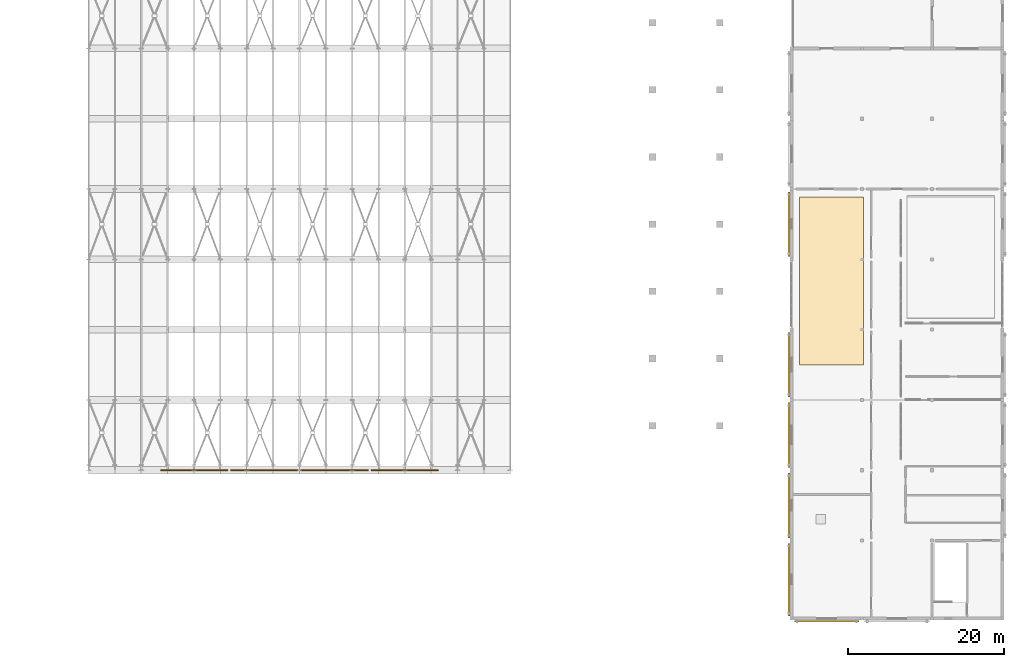
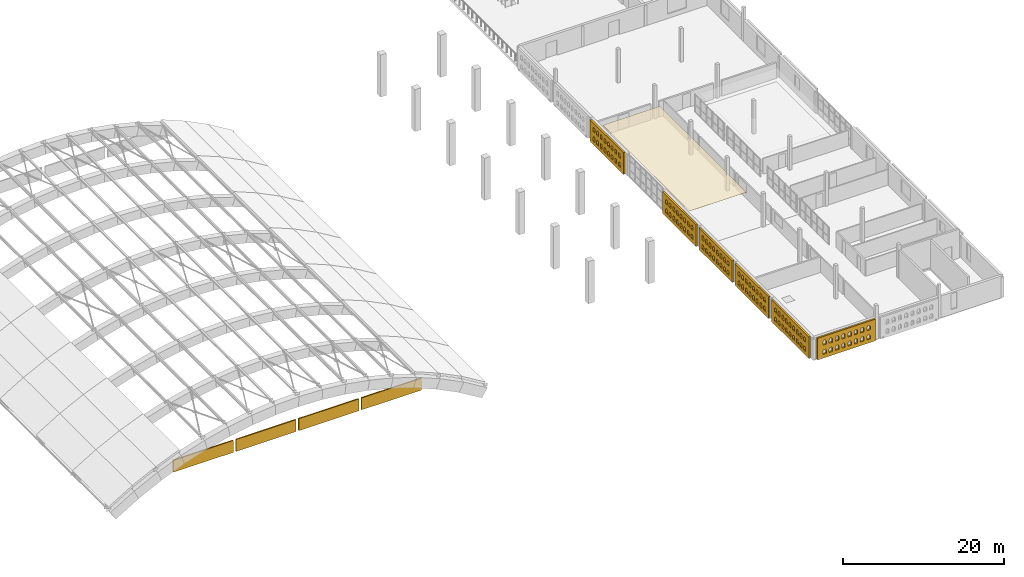
# One storey, part 27 of 30: 7 coverings, 4 shading devices.
"""IFC4 building model written with IfcOpenShell, lengths in metres."""

from ifc_helpers import new_model, si_unit, direction, frame, frame_2d, origin, place, context, subcontext, project, spatial, polyline, rectangle, outline, extrude, material, layer, layer_set, type_object, element, save


model = new_model("IFC4")

# Units and contexts
model_context = context("Model", 3, precision=1e-05, world=origin(), true_north=direction((0.0, 1.0)))
body_context = subcontext(model_context, "Body", "Model", "MODEL_VIEW")
ifc_project = project(units=[si_unit("LENGTHUNIT", "METRE"), si_unit("AREAUNIT", "SQUARE_METRE"), si_unit("VOLUMEUNIT", "CUBIC_METRE"), si_unit("PLANEANGLEUNIT", "RADIAN"), si_unit("MASSUNIT", "GRAM", prefix="KILO")], contexts=[model_context])

# Site, building, storey
site_placement = place(None, origin())
site = spatial("IfcSite", under=ifc_project, at=site_placement, CompositionType="ELEMENT")
building_placement = place(site_placement, origin())
building = spatial("IfcBuilding", under=site, at=building_placement, Name="Ornek Quay Market", CompositionType="ELEMENT")
storey_placement = place(building_placement, frame((0.0, 0.0, 12.0)))
storey = spatial("IfcBuildingStorey", under=building, at=storey_placement, Name="L03", CompositionType="ELEMENT", Elevation=12.0)

# Coverings
ifc_material_1 = material(Name="Frost-resistant facing clay brick M200 F100", Category="masonry")
ifc_layer_1 = layer(ifc_material_1, 0.25, Name="Frost-resistant facing clay brick M200 F100", Category="masonry")
ifc_layer_set_1 = layer_set([ifc_layer_1], Name="Frost-resistant facing clay brick M200 F100")
covering_type_1 = type_object("IfcCoveringType", Name="COV-BRICK-LATTICE-250", PredefinedType="CLADDING", material=ifc_layer_set_1)
covering_1_placement = place(storey_placement, frame((152.669921875, 10.35009765625, 0.0), z_axis=(0.0, 0.0, 1.0), x_axis=(0.0, 1.0, 0.0)))
element("IfcCovering", 1, at=covering_1_placement, inside=storey, type_object=covering_type_1, Name="Arched brick lattice screen BLS-119", PredefinedType="CLADDING", context=body_context, shape_type="SweptSolid", body=[
    extrude(outline(polyline([(0.0, 0.0), (9.2998046875, 0.0), (9.2998046875, 3.280029296875), (0.0, 3.280029296875), (0.0, 0.0)]), holes=[polyline([(0.81005859375, 0.550048828125), (1.2900390625, 0.550048828125), (1.2900390625, 1.050048828125), (1.169921875, 1.2578125), (0.929931640625, 1.2578125), (0.81005859375, 1.050048828125), (0.81005859375, 0.550048828125)]), polyline([(0.81005859375, 1.949951171875), (1.2900390625, 1.949951171875), (1.2900390625, 2.449951171875), (1.169921875, 2.65771484375), (0.929931640625, 2.65771484375), (0.81005859375, 2.449951171875), (0.81005859375, 1.949951171875)]), polyline([(1.7099609375, 0.550048828125), (2.18994140625, 0.550048828125), (2.18994140625, 1.050048828125), (2.070068359375, 1.2578125), (1.830078125, 1.2578125), (1.7099609375, 1.050048828125), (1.7099609375, 0.550048828125)]), polyline([(1.7099609375, 1.949951171875), (2.18994140625, 1.949951171875), (2.18994140625, 2.449951171875), (2.070068359375, 2.65771484375), (1.830078125, 2.65771484375), (1.7099609375, 2.449951171875), (1.7099609375, 1.949951171875)]), polyline([(2.610107421875, 0.550048828125), (3.090087890625, 0.550048828125), (3.090087890625, 1.050048828125), (2.969970703125, 1.2578125), (2.72998046875, 1.2578125), (2.610107421875, 1.050048828125), (2.610107421875, 0.550048828125)]), polyline([(2.610107421875, 1.949951171875), (3.090087890625, 1.949951171875), (3.090087890625, 2.449951171875), (2.969970703125, 2.65771484375), (2.72998046875, 2.65771484375), (2.610107421875, 2.449951171875), (2.610107421875, 1.949951171875)]), polyline([(3.510009765625, 0.550048828125), (3.989990234375, 0.550048828125), (3.989990234375, 1.050048828125), (3.8701171875, 1.2578125), (3.6298828125, 1.2578125), (3.510009765625, 1.050048828125), (3.510009765625, 0.550048828125)]), polyline([(3.510009765625, 1.949951171875), (3.989990234375, 1.949951171875), (3.989990234375, 2.449951171875), (3.8701171875, 2.65771484375), (3.6298828125, 2.65771484375), (3.510009765625, 2.449951171875), (3.510009765625, 1.949951171875)]), polyline([(4.409912109375, 0.550048828125), (4.889892578125, 0.550048828125), (4.889892578125, 1.050048828125), (4.77001953125, 1.2578125), (4.530029296875, 1.2578125), (4.409912109375, 1.050048828125), (4.409912109375, 0.550048828125)]), polyline([(4.409912109375, 1.949951171875), (4.889892578125, 1.949951171875), (4.889892578125, 2.449951171875), (4.77001953125, 2.65771484375), (4.530029296875, 2.65771484375), (4.409912109375, 2.449951171875), (4.409912109375, 1.949951171875)]), polyline([(5.31005859375, 0.550048828125), (5.7900390625, 0.550048828125), (5.7900390625, 1.050048828125), (5.669921875, 1.2578125), (5.429931640625, 1.2578125), (5.31005859375, 1.050048828125), (5.31005859375, 0.550048828125)]), polyline([(5.31005859375, 1.949951171875), (5.7900390625, 1.949951171875), (5.7900390625, 2.449951171875), (5.669921875, 2.65771484375), (5.429931640625, 2.65771484375), (5.31005859375, 2.449951171875), (5.31005859375, 1.949951171875)]), polyline([(6.2099609375, 0.550048828125), (6.68994140625, 0.550048828125), (6.68994140625, 1.050048828125), (6.570068359375, 1.2578125), (6.330078125, 1.2578125), (6.2099609375, 1.050048828125), (6.2099609375, 0.550048828125)]), polyline([(6.2099609375, 1.949951171875), (6.68994140625, 1.949951171875), (6.68994140625, 2.449951171875), (6.570068359375, 2.65771484375), (6.330078125, 2.65771484375), (6.2099609375, 2.449951171875), (6.2099609375, 1.949951171875)]), polyline([(7.110107421875, 0.550048828125), (7.590087890625, 0.550048828125), (7.590087890625, 1.050048828125), (7.469970703125, 1.2578125), (7.22998046875, 1.2578125), (7.110107421875, 1.050048828125), (7.110107421875, 0.550048828125)]), polyline([(7.110107421875, 1.949951171875), (7.590087890625, 1.949951171875), (7.590087890625, 2.449951171875), (7.469970703125, 2.65771484375), (7.22998046875, 2.65771484375), (7.110107421875, 2.449951171875), (7.110107421875, 1.949951171875)]), polyline([(8.010009765625, 0.550048828125), (8.489990234375, 0.550048828125), (8.489990234375, 1.050048828125), (8.3701171875, 1.2578125), (8.1298828125, 1.2578125), (8.010009765625, 1.050048828125), (8.010009765625, 0.550048828125)]), polyline([(8.010009765625, 1.949951171875), (8.489990234375, 1.949951171875), (8.489990234375, 2.449951171875), (8.3701171875, 2.65771484375), (8.1298828125, 2.65771484375), (8.010009765625, 2.449951171875), (8.010009765625, 1.949951171875)])]), frame((0.0, 0.125, 0.0), z_axis=(0.0, -1.0, 0.0), x_axis=(1.0, 0.0, 0.0)), (0.0, 0.0, 1.0), 0.25),
])
covering_2_placement = place(storey_placement, frame((152.669921875, 20.35009765625, 0.0), z_axis=(0.0, 0.0, 1.0), x_axis=(0.0, 1.0, 0.0)))
element("IfcCovering", 2, at=covering_2_placement, inside=storey, type_object=covering_type_1, Name="Arched brick lattice screen BLS-120", PredefinedType="CLADDING", context=body_context, shape_type="SweptSolid", body=[
    extrude(outline(polyline([(0.0, 0.0), (8.2998046875, 0.0), (8.2998046875, 3.280029296875), (0.0, 3.280029296875), (0.0, 0.0)]), holes=[polyline([(0.760009765625, 0.550048828125), (1.239990234375, 0.550048828125), (1.239990234375, 1.050048828125), (1.1201171875, 1.2578125), (0.8798828125, 1.2578125), (0.760009765625, 1.050048828125), (0.760009765625, 0.550048828125)]), polyline([(0.760009765625, 1.949951171875), (1.239990234375, 1.949951171875), (1.239990234375, 2.449951171875), (1.1201171875, 2.65771484375), (0.8798828125, 2.65771484375), (0.760009765625, 2.449951171875), (0.760009765625, 1.949951171875)]), polyline([(1.659912109375, 0.550048828125), (2.139892578125, 0.550048828125), (2.139892578125, 1.050048828125), (2.02001953125, 1.2578125), (1.780029296875, 1.2578125), (1.659912109375, 1.050048828125), (1.659912109375, 0.550048828125)]), polyline([(1.659912109375, 1.949951171875), (2.139892578125, 1.949951171875), (2.139892578125, 2.449951171875), (2.02001953125, 2.65771484375), (1.780029296875, 2.65771484375), (1.659912109375, 2.449951171875), (1.659912109375, 1.949951171875)]), polyline([(2.56005859375, 0.550048828125), (3.0400390625, 0.550048828125), (3.0400390625, 1.050048828125), (2.919921875, 1.2578125), (2.679931640625, 1.2578125), (2.56005859375, 1.050048828125), (2.56005859375, 0.550048828125)]), polyline([(2.56005859375, 1.949951171875), (3.0400390625, 1.949951171875), (3.0400390625, 2.449951171875), (2.919921875, 2.65771484375), (2.679931640625, 2.65771484375), (2.56005859375, 2.449951171875), (2.56005859375, 1.949951171875)]), polyline([(3.4599609375, 0.550048828125), (3.93994140625, 0.550048828125), (3.93994140625, 1.050048828125), (3.820068359375, 1.2578125), (3.580078125, 1.2578125), (3.4599609375, 1.050048828125), (3.4599609375, 0.550048828125)]), polyline([(3.4599609375, 1.949951171875), (3.93994140625, 1.949951171875), (3.93994140625, 2.449951171875), (3.820068359375, 2.65771484375), (3.580078125, 2.65771484375), (3.4599609375, 2.449951171875), (3.4599609375, 1.949951171875)]), polyline([(4.360107421875, 0.550048828125), (4.840087890625, 0.550048828125), (4.840087890625, 1.050048828125), (4.719970703125, 1.2578125), (4.47998046875, 1.2578125), (4.360107421875, 1.050048828125), (4.360107421875, 0.550048828125)]), polyline([(4.360107421875, 1.949951171875), (4.840087890625, 1.949951171875), (4.840087890625, 2.449951171875), (4.719970703125, 2.65771484375), (4.47998046875, 2.65771484375), (4.360107421875, 2.449951171875), (4.360107421875, 1.949951171875)]), polyline([(5.260009765625, 0.550048828125), (5.739990234375, 0.550048828125), (5.739990234375, 1.050048828125), (5.6201171875, 1.2578125), (5.3798828125, 1.2578125), (5.260009765625, 1.050048828125), (5.260009765625, 0.550048828125)]), polyline([(5.260009765625, 1.949951171875), (5.739990234375, 1.949951171875), (5.739990234375, 2.449951171875), (5.6201171875, 2.65771484375), (5.3798828125, 2.65771484375), (5.260009765625, 2.449951171875), (5.260009765625, 1.949951171875)]), polyline([(6.159912109375, 0.550048828125), (6.639892578125, 0.550048828125), (6.639892578125, 1.050048828125), (6.52001953125, 1.2578125), (6.280029296875, 1.2578125), (6.159912109375, 1.050048828125), (6.159912109375, 0.550048828125)]), polyline([(6.159912109375, 1.949951171875), (6.639892578125, 1.949951171875), (6.639892578125, 2.449951171875), (6.52001953125, 2.65771484375), (6.280029296875, 2.65771484375), (6.159912109375, 2.449951171875), (6.159912109375, 1.949951171875)]), polyline([(7.06005859375, 0.550048828125), (7.5400390625, 0.550048828125), (7.5400390625, 1.050048828125), (7.419921875, 1.2578125), (7.179931640625, 1.2578125), (7.06005859375, 1.050048828125), (7.06005859375, 0.550048828125)]), polyline([(7.06005859375, 1.949951171875), (7.5400390625, 1.949951171875), (7.5400390625, 2.449951171875), (7.419921875, 2.65771484375), (7.179931640625, 2.65771484375), (7.06005859375, 2.449951171875), (7.06005859375, 1.949951171875)])]), frame((0.0, 0.125, 0.0), z_axis=(0.0, -1.0, 0.0), x_axis=(1.0, 0.0, 0.0)), (0.0, 0.0, 1.0), 0.25),
])
covering_3_placement = place(storey_placement, frame((152.669921875, 29.35009765625, 0.0), z_axis=(0.0, 0.0, 1.0), x_axis=(0.0, 1.0, 0.0)))
element("IfcCovering", 3, at=covering_3_placement, inside=storey, type_object=covering_type_1, Name="Arched brick lattice screen BLS-121", PredefinedType="CLADDING", context=body_context, shape_type="SweptSolid", body=[
    extrude(outline(polyline([(0.0, 0.0), (8.2998046875, 0.0), (8.2998046875, 3.280029296875), (0.0, 3.280029296875), (0.0, 0.0)]), holes=[polyline([(0.760009765625, 0.550048828125), (1.239990234375, 0.550048828125), (1.239990234375, 1.050048828125), (1.1201171875, 1.2578125), (0.8798828125, 1.2578125), (0.760009765625, 1.050048828125), (0.760009765625, 0.550048828125)]), polyline([(0.760009765625, 1.949951171875), (1.239990234375, 1.949951171875), (1.239990234375, 2.449951171875), (1.1201171875, 2.65771484375), (0.8798828125, 2.65771484375), (0.760009765625, 2.449951171875), (0.760009765625, 1.949951171875)]), polyline([(1.659912109375, 0.550048828125), (2.139892578125, 0.550048828125), (2.139892578125, 1.050048828125), (2.02001953125, 1.2578125), (1.780029296875, 1.2578125), (1.659912109375, 1.050048828125), (1.659912109375, 0.550048828125)]), polyline([(1.659912109375, 1.949951171875), (2.139892578125, 1.949951171875), (2.139892578125, 2.449951171875), (2.02001953125, 2.65771484375), (1.780029296875, 2.65771484375), (1.659912109375, 2.449951171875), (1.659912109375, 1.949951171875)]), polyline([(2.56005859375, 0.550048828125), (3.0400390625, 0.550048828125), (3.0400390625, 1.050048828125), (2.919921875, 1.2578125), (2.679931640625, 1.2578125), (2.56005859375, 1.050048828125), (2.56005859375, 0.550048828125)]), polyline([(2.56005859375, 1.949951171875), (3.0400390625, 1.949951171875), (3.0400390625, 2.449951171875), (2.919921875, 2.65771484375), (2.679931640625, 2.65771484375), (2.56005859375, 2.449951171875), (2.56005859375, 1.949951171875)]), polyline([(3.4599609375, 0.550048828125), (3.93994140625, 0.550048828125), (3.93994140625, 1.050048828125), (3.820068359375, 1.2578125), (3.580078125, 1.2578125), (3.4599609375, 1.050048828125), (3.4599609375, 0.550048828125)]), polyline([(3.4599609375, 1.949951171875), (3.93994140625, 1.949951171875), (3.93994140625, 2.449951171875), (3.820068359375, 2.65771484375), (3.580078125, 2.65771484375), (3.4599609375, 2.449951171875), (3.4599609375, 1.949951171875)]), polyline([(4.360107421875, 0.550048828125), (4.840087890625, 0.550048828125), (4.840087890625, 1.050048828125), (4.719970703125, 1.2578125), (4.47998046875, 1.2578125), (4.360107421875, 1.050048828125), (4.360107421875, 0.550048828125)]), polyline([(4.360107421875, 1.949951171875), (4.840087890625, 1.949951171875), (4.840087890625, 2.449951171875), (4.719970703125, 2.65771484375), (4.47998046875, 2.65771484375), (4.360107421875, 2.449951171875), (4.360107421875, 1.949951171875)]), polyline([(5.260009765625, 0.550048828125), (5.739990234375, 0.550048828125), (5.739990234375, 1.050048828125), (5.6201171875, 1.2578125), (5.3798828125, 1.2578125), (5.260009765625, 1.050048828125), (5.260009765625, 0.550048828125)]), polyline([(5.260009765625, 1.949951171875), (5.739990234375, 1.949951171875), (5.739990234375, 2.449951171875), (5.6201171875, 2.65771484375), (5.3798828125, 2.65771484375), (5.260009765625, 2.449951171875), (5.260009765625, 1.949951171875)]), polyline([(6.159912109375, 0.550048828125), (6.639892578125, 0.550048828125), (6.639892578125, 1.050048828125), (6.52001953125, 1.2578125), (6.280029296875, 1.2578125), (6.159912109375, 1.050048828125), (6.159912109375, 0.550048828125)]), polyline([(6.159912109375, 1.949951171875), (6.639892578125, 1.949951171875), (6.639892578125, 2.449951171875), (6.52001953125, 2.65771484375), (6.280029296875, 2.65771484375), (6.159912109375, 2.449951171875), (6.159912109375, 1.949951171875)]), polyline([(7.06005859375, 0.550048828125), (7.5400390625, 0.550048828125), (7.5400390625, 1.050048828125), (7.419921875, 1.2578125), (7.179931640625, 1.2578125), (7.06005859375, 1.050048828125), (7.06005859375, 0.550048828125)]), polyline([(7.06005859375, 1.949951171875), (7.5400390625, 1.949951171875), (7.5400390625, 2.449951171875), (7.419921875, 2.65771484375), (7.179931640625, 2.65771484375), (7.06005859375, 2.449951171875), (7.06005859375, 1.949951171875)])]), frame((0.0, 0.125, 0.0), z_axis=(0.0, -1.0, 0.0), x_axis=(1.0, 0.0, 0.0)), (0.0, 0.0, 1.0), 0.25),
])
covering_4_placement = place(storey_placement, frame((152.669921875, 38.35009765625, 0.0), z_axis=(0.0, 0.0, 1.0), x_axis=(0.0, 1.0, 0.0)))
element("IfcCovering", 4, at=covering_4_placement, inside=storey, type_object=covering_type_1, Name="Arched brick lattice screen BLS-122", PredefinedType="CLADDING", context=body_context, shape_type="SweptSolid", body=[
    extrude(outline(polyline([(0.0, 0.0), (8.2998046875, 0.0), (8.2998046875, 3.280029296875), (0.0, 3.280029296875), (0.0, 0.0)]), holes=[polyline([(0.760009765625, 0.550048828125), (1.239990234375, 0.550048828125), (1.239990234375, 1.050048828125), (1.1201171875, 1.2578125), (0.8798828125, 1.2578125), (0.760009765625, 1.050048828125), (0.760009765625, 0.550048828125)]), polyline([(0.760009765625, 1.949951171875), (1.239990234375, 1.949951171875), (1.239990234375, 2.449951171875), (1.1201171875, 2.65771484375), (0.8798828125, 2.65771484375), (0.760009765625, 2.449951171875), (0.760009765625, 1.949951171875)]), polyline([(1.659912109375, 0.550048828125), (2.139892578125, 0.550048828125), (2.139892578125, 1.050048828125), (2.02001953125, 1.2578125), (1.780029296875, 1.2578125), (1.659912109375, 1.050048828125), (1.659912109375, 0.550048828125)]), polyline([(1.659912109375, 1.949951171875), (2.139892578125, 1.949951171875), (2.139892578125, 2.449951171875), (2.02001953125, 2.65771484375), (1.780029296875, 2.65771484375), (1.659912109375, 2.449951171875), (1.659912109375, 1.949951171875)]), polyline([(2.56005859375, 0.550048828125), (3.0400390625, 0.550048828125), (3.0400390625, 1.050048828125), (2.919921875, 1.2578125), (2.679931640625, 1.2578125), (2.56005859375, 1.050048828125), (2.56005859375, 0.550048828125)]), polyline([(2.56005859375, 1.949951171875), (3.0400390625, 1.949951171875), (3.0400390625, 2.449951171875), (2.919921875, 2.65771484375), (2.679931640625, 2.65771484375), (2.56005859375, 2.449951171875), (2.56005859375, 1.949951171875)]), polyline([(3.4599609375, 0.550048828125), (3.93994140625, 0.550048828125), (3.93994140625, 1.050048828125), (3.820068359375, 1.2578125), (3.580078125, 1.2578125), (3.4599609375, 1.050048828125), (3.4599609375, 0.550048828125)]), polyline([(3.4599609375, 1.949951171875), (3.93994140625, 1.949951171875), (3.93994140625, 2.449951171875), (3.820068359375, 2.65771484375), (3.580078125, 2.65771484375), (3.4599609375, 2.449951171875), (3.4599609375, 1.949951171875)]), polyline([(4.360107421875, 0.550048828125), (4.840087890625, 0.550048828125), (4.840087890625, 1.050048828125), (4.719970703125, 1.2578125), (4.47998046875, 1.2578125), (4.360107421875, 1.050048828125), (4.360107421875, 0.550048828125)]), polyline([(4.360107421875, 1.949951171875), (4.840087890625, 1.949951171875), (4.840087890625, 2.449951171875), (4.719970703125, 2.65771484375), (4.47998046875, 2.65771484375), (4.360107421875, 2.449951171875), (4.360107421875, 1.949951171875)]), polyline([(5.260009765625, 0.550048828125), (5.739990234375, 0.550048828125), (5.739990234375, 1.050048828125), (5.6201171875, 1.2578125), (5.3798828125, 1.2578125), (5.260009765625, 1.050048828125), (5.260009765625, 0.550048828125)]), polyline([(5.260009765625, 1.949951171875), (5.739990234375, 1.949951171875), (5.739990234375, 2.449951171875), (5.6201171875, 2.65771484375), (5.3798828125, 2.65771484375), (5.260009765625, 2.449951171875), (5.260009765625, 1.949951171875)]), polyline([(6.159912109375, 0.550048828125), (6.639892578125, 0.550048828125), (6.639892578125, 1.050048828125), (6.52001953125, 1.2578125), (6.280029296875, 1.2578125), (6.159912109375, 1.050048828125), (6.159912109375, 0.550048828125)]), polyline([(6.159912109375, 1.949951171875), (6.639892578125, 1.949951171875), (6.639892578125, 2.449951171875), (6.52001953125, 2.65771484375), (6.280029296875, 2.65771484375), (6.159912109375, 2.449951171875), (6.159912109375, 1.949951171875)]), polyline([(7.06005859375, 0.550048828125), (7.5400390625, 0.550048828125), (7.5400390625, 1.050048828125), (7.419921875, 1.2578125), (7.179931640625, 1.2578125), (7.06005859375, 1.050048828125), (7.06005859375, 0.550048828125)]), polyline([(7.06005859375, 1.949951171875), (7.5400390625, 1.949951171875), (7.5400390625, 2.449951171875), (7.419921875, 2.65771484375), (7.179931640625, 2.65771484375), (7.06005859375, 2.449951171875), (7.06005859375, 1.949951171875)])]), frame((0.0, 0.125, 0.0), z_axis=(0.0, -1.0, 0.0), x_axis=(1.0, 0.0, 0.0)), (0.0, 0.0, 1.0), 0.25),
])
covering_5_placement = place(storey_placement, frame((152.669921875, 56.35009765625, 0.0), z_axis=(0.0, 0.0, 1.0), x_axis=(0.0, 1.0, 0.0)))
element("IfcCovering", 5, at=covering_5_placement, inside=storey, type_object=covering_type_1, Name="Arched brick lattice screen BLS-123", PredefinedType="CLADDING", context=body_context, shape_type="SweptSolid", body=[
    extrude(outline(polyline([(0.0, 0.0), (8.2998046875, 0.0), (8.2998046875, 3.280029296875), (0.0, 3.280029296875), (0.0, 0.0)]), holes=[polyline([(0.760009765625, 0.550048828125), (1.239990234375, 0.550048828125), (1.239990234375, 1.050048828125), (1.1201171875, 1.2578125), (0.8798828125, 1.2578125), (0.760009765625, 1.050048828125), (0.760009765625, 0.550048828125)]), polyline([(0.760009765625, 1.949951171875), (1.239990234375, 1.949951171875), (1.239990234375, 2.449951171875), (1.1201171875, 2.65771484375), (0.8798828125, 2.65771484375), (0.760009765625, 2.449951171875), (0.760009765625, 1.949951171875)]), polyline([(1.659912109375, 0.550048828125), (2.139892578125, 0.550048828125), (2.139892578125, 1.050048828125), (2.02001953125, 1.2578125), (1.780029296875, 1.2578125), (1.659912109375, 1.050048828125), (1.659912109375, 0.550048828125)]), polyline([(1.659912109375, 1.949951171875), (2.139892578125, 1.949951171875), (2.139892578125, 2.449951171875), (2.02001953125, 2.65771484375), (1.780029296875, 2.65771484375), (1.659912109375, 2.449951171875), (1.659912109375, 1.949951171875)]), polyline([(2.56005859375, 0.550048828125), (3.0400390625, 0.550048828125), (3.0400390625, 1.050048828125), (2.919921875, 1.2578125), (2.679931640625, 1.2578125), (2.56005859375, 1.050048828125), (2.56005859375, 0.550048828125)]), polyline([(2.56005859375, 1.949951171875), (3.0400390625, 1.949951171875), (3.0400390625, 2.449951171875), (2.919921875, 2.65771484375), (2.679931640625, 2.65771484375), (2.56005859375, 2.449951171875), (2.56005859375, 1.949951171875)]), polyline([(3.4599609375, 0.550048828125), (3.93994140625, 0.550048828125), (3.93994140625, 1.050048828125), (3.820068359375, 1.2578125), (3.580078125, 1.2578125), (3.4599609375, 1.050048828125), (3.4599609375, 0.550048828125)]), polyline([(3.4599609375, 1.949951171875), (3.93994140625, 1.949951171875), (3.93994140625, 2.449951171875), (3.820068359375, 2.65771484375), (3.580078125, 2.65771484375), (3.4599609375, 2.449951171875), (3.4599609375, 1.949951171875)]), polyline([(4.360107421875, 0.550048828125), (4.840087890625, 0.550048828125), (4.840087890625, 1.050048828125), (4.719970703125, 1.2578125), (4.47998046875, 1.2578125), (4.360107421875, 1.050048828125), (4.360107421875, 0.550048828125)]), polyline([(4.360107421875, 1.949951171875), (4.840087890625, 1.949951171875), (4.840087890625, 2.449951171875), (4.719970703125, 2.65771484375), (4.47998046875, 2.65771484375), (4.360107421875, 2.449951171875), (4.360107421875, 1.949951171875)]), polyline([(5.260009765625, 0.550048828125), (5.739990234375, 0.550048828125), (5.739990234375, 1.050048828125), (5.6201171875, 1.2578125), (5.3798828125, 1.2578125), (5.260009765625, 1.050048828125), (5.260009765625, 0.550048828125)]), polyline([(5.260009765625, 1.949951171875), (5.739990234375, 1.949951171875), (5.739990234375, 2.449951171875), (5.6201171875, 2.65771484375), (5.3798828125, 2.65771484375), (5.260009765625, 2.449951171875), (5.260009765625, 1.949951171875)]), polyline([(6.159912109375, 0.550048828125), (6.639892578125, 0.550048828125), (6.639892578125, 1.050048828125), (6.52001953125, 1.2578125), (6.280029296875, 1.2578125), (6.159912109375, 1.050048828125), (6.159912109375, 0.550048828125)]), polyline([(6.159912109375, 1.949951171875), (6.639892578125, 1.949951171875), (6.639892578125, 2.449951171875), (6.52001953125, 2.65771484375), (6.280029296875, 2.65771484375), (6.159912109375, 2.449951171875), (6.159912109375, 1.949951171875)]), polyline([(7.06005859375, 0.550048828125), (7.5400390625, 0.550048828125), (7.5400390625, 1.050048828125), (7.419921875, 1.2578125), (7.179931640625, 1.2578125), (7.06005859375, 1.050048828125), (7.06005859375, 0.550048828125)]), polyline([(7.06005859375, 1.949951171875), (7.5400390625, 1.949951171875), (7.5400390625, 2.449951171875), (7.419921875, 2.65771484375), (7.179931640625, 2.65771484375), (7.06005859375, 2.449951171875), (7.06005859375, 1.949951171875)])]), frame((0.0, 0.125, 0.0), z_axis=(0.0, -1.0, 0.0), x_axis=(1.0, 0.0, 0.0)), (0.0, 0.0, 1.0), 0.25),
])
covering_6_placement = place(storey_placement, frame((153.35009765625, 9.669921875, 0.0), z_axis=(0.0, 0.0, 1.0), x_axis=(1.0, 0.0, 0.0)))
element("IfcCovering", 6, at=covering_6_placement, inside=storey, type_object=covering_type_1, Name="Arched brick lattice screen BLS-128", PredefinedType="CLADDING", context=body_context, shape_type="SweptSolid", body=[
    extrude(outline(polyline([(0.0, 0.0), (8.2998046875, 0.0), (8.2998046875, 3.280029296875), (0.0, 3.280029296875), (0.0, 0.0)]), holes=[polyline([(0.760009765625, 0.550048828125), (1.239990234375, 0.550048828125), (1.239990234375, 1.050048828125), (1.1201171875, 1.2578125), (0.8798828125, 1.2578125), (0.760009765625, 1.050048828125), (0.760009765625, 0.550048828125)]), polyline([(0.760009765625, 1.949951171875), (1.239990234375, 1.949951171875), (1.239990234375, 2.449951171875), (1.1201171875, 2.65771484375), (0.8798828125, 2.65771484375), (0.760009765625, 2.449951171875), (0.760009765625, 1.949951171875)]), polyline([(1.659912109375, 0.550048828125), (2.139892578125, 0.550048828125), (2.139892578125, 1.050048828125), (2.02001953125, 1.2578125), (1.780029296875, 1.2578125), (1.659912109375, 1.050048828125), (1.659912109375, 0.550048828125)]), polyline([(1.659912109375, 1.949951171875), (2.139892578125, 1.949951171875), (2.139892578125, 2.449951171875), (2.02001953125, 2.65771484375), (1.780029296875, 2.65771484375), (1.659912109375, 2.449951171875), (1.659912109375, 1.949951171875)]), polyline([(2.56005859375, 0.550048828125), (3.0400390625, 0.550048828125), (3.0400390625, 1.050048828125), (2.919921875, 1.2578125), (2.679931640625, 1.2578125), (2.56005859375, 1.050048828125), (2.56005859375, 0.550048828125)]), polyline([(2.56005859375, 1.949951171875), (3.0400390625, 1.949951171875), (3.0400390625, 2.449951171875), (2.919921875, 2.65771484375), (2.679931640625, 2.65771484375), (2.56005859375, 2.449951171875), (2.56005859375, 1.949951171875)]), polyline([(3.4599609375, 0.550048828125), (3.93994140625, 0.550048828125), (3.93994140625, 1.050048828125), (3.820068359375, 1.2578125), (3.580078125, 1.2578125), (3.4599609375, 1.050048828125), (3.4599609375, 0.550048828125)]), polyline([(3.4599609375, 1.949951171875), (3.93994140625, 1.949951171875), (3.93994140625, 2.449951171875), (3.820068359375, 2.65771484375), (3.580078125, 2.65771484375), (3.4599609375, 2.449951171875), (3.4599609375, 1.949951171875)]), polyline([(4.360107421875, 0.550048828125), (4.840087890625, 0.550048828125), (4.840087890625, 1.050048828125), (4.719970703125, 1.2578125), (4.47998046875, 1.2578125), (4.360107421875, 1.050048828125), (4.360107421875, 0.550048828125)]), polyline([(4.360107421875, 1.949951171875), (4.840087890625, 1.949951171875), (4.840087890625, 2.449951171875), (4.719970703125, 2.65771484375), (4.47998046875, 2.65771484375), (4.360107421875, 2.449951171875), (4.360107421875, 1.949951171875)]), polyline([(5.260009765625, 0.550048828125), (5.739990234375, 0.550048828125), (5.739990234375, 1.050048828125), (5.6201171875, 1.2578125), (5.3798828125, 1.2578125), (5.260009765625, 1.050048828125), (5.260009765625, 0.550048828125)]), polyline([(5.260009765625, 1.949951171875), (5.739990234375, 1.949951171875), (5.739990234375, 2.449951171875), (5.6201171875, 2.65771484375), (5.3798828125, 2.65771484375), (5.260009765625, 2.449951171875), (5.260009765625, 1.949951171875)]), polyline([(6.159912109375, 0.550048828125), (6.639892578125, 0.550048828125), (6.639892578125, 1.050048828125), (6.52001953125, 1.2578125), (6.280029296875, 1.2578125), (6.159912109375, 1.050048828125), (6.159912109375, 0.550048828125)]), polyline([(6.159912109375, 1.949951171875), (6.639892578125, 1.949951171875), (6.639892578125, 2.449951171875), (6.52001953125, 2.65771484375), (6.280029296875, 2.65771484375), (6.159912109375, 2.449951171875), (6.159912109375, 1.949951171875)]), polyline([(7.06005859375, 0.550048828125), (7.5400390625, 0.550048828125), (7.5400390625, 1.050048828125), (7.419921875, 1.2578125), (7.179931640625, 1.2578125), (7.06005859375, 1.050048828125), (7.06005859375, 0.550048828125)]), polyline([(7.06005859375, 1.949951171875), (7.5400390625, 1.949951171875), (7.5400390625, 2.449951171875), (7.419921875, 2.65771484375), (7.179931640625, 2.65771484375), (7.06005859375, 2.449951171875), (7.06005859375, 1.949951171875)])]), frame((0.0, 0.125, 0.0), z_axis=(0.0, -1.0, 0.0), x_axis=(1.0, 0.0, 0.0)), (0.0, 0.0, 1.0), 0.25),
])
ifc_material_2 = material(Name="Moisture-resistant acoustic gypsum ceiling", Category="other")
ifc_layer_2 = layer(ifc_material_2, 0.030029296875, Name="Moisture-resistant acoustic gypsum ceiling", Category="other")
ifc_layer_set_2 = layer_set([ifc_layer_2], Name="Moisture-resistant acoustic gypsum ceiling")
covering_type_2 = type_object("IfcCoveringType", Name="COV-CEIL-GYP-30", PredefinedType="CEILING", material=ifc_layer_set_2)
covering_7_placement = place(storey_placement, frame((0.0, 0.0, 2.300048828125)))
element("IfcCovering", 7, at=covering_7_placement, inside=storey, type_object=covering_type_2, Name="Suspended acoustic ceiling CLG-10", PredefinedType="CEILING", context=body_context, shape_type="SweptSolid", body=[
    extrude(outline(polyline([(154.0, 42.5), (162.199951171875, 42.5), (162.199951171875, 64.0), (154.0, 64.0), (154.0, 42.5)])), origin(), (0.0, 0.0, 1.0), 0.030029296875),
])

# Shading devices
ifc_material_3 = material(Name="Anodised bronze aluminium 6063-T6", Category="aluminium")
ifc_layer_3 = layer(ifc_material_3, 0.179931640625, Name="Anodised bronze aluminium 6063-T6", Category="aluminium")
ifc_layer_set_3 = layer_set([ifc_layer_3], Name="Anodised bronze aluminium 6063-T6")
shading_device_type = type_object("IfcShadingDeviceType", Name="SHD-LOUVRE-BRONZE-180", PredefinedType="JALOUSIE", material=ifc_layer_set_3)
shading_device_1_placement = place(storey_placement, frame((72.22509765625, 29.0, -0.35009765625), z_axis=(0.0, 0.0, 1.0), x_axis=(1.0, 0.0, 0.0)))
element("IfcShadingDevice", 8, at=shading_device_1_placement, inside=storey, type_object=shading_device_type, Name="Vault gable smoke and winter louvre LVR-62", PredefinedType="JALOUSIE", context=body_context, shape_type="SweptSolid", body=[
    extrude(rectangle(XDim=8.574951171875, YDim=0.179931640625, at=frame_2d((4.28759765625, 0.0))), origin(), (0.0, 0.0, 1.0), 1.800048828125),
])
for number, where, z_axis, x_axis, name in (
    (9, (81.199951171875, 29.0, -0.35009765625), (0.0, 0.0, 1.0), (1.0, 0.0, 0.0), "Vault gable smoke and winter louvre LVR-63"),
    (10, (90.199951171875, 29.0, -0.35009765625), (0.0, 0.0, 1.0), (1.0, 0.0, 0.0), "Vault gable smoke and winter louvre LVR-64"),
):
    element("IfcShadingDevice", number, at=place(storey_placement, frame(where, z_axis=z_axis, x_axis=x_axis)), inside=storey, type_object=shading_device_type, Name=name, PredefinedType="JALOUSIE", context=body_context, shape_type="SweptSolid", body=[
        extrude(rectangle(XDim=8.60009765625, YDim=0.179931640625, at=frame_2d((4.300048828125, 0.0))), origin(), (0.0, 0.0, 1.0), 1.800048828125),
    ])
shading_device_2_placement = place(storey_placement, frame((99.199951171875, 29.0, -0.35009765625), z_axis=(0.0, 0.0, 1.0), x_axis=(1.0, 0.0, 0.0)))
element("IfcShadingDevice", 11, at=shading_device_2_placement, inside=storey, type_object=shading_device_type, Name="Vault gable smoke and winter louvre LVR-65", PredefinedType="JALOUSIE", context=body_context, shape_type="SweptSolid", body=[
    extrude(rectangle(XDim=8.574951171875, YDim=0.179931640625, at=frame_2d((4.28759765625, 0.0))), origin(), (0.0, 0.0, 1.0), 1.800048828125),
])

save(model, "model.ifc")
